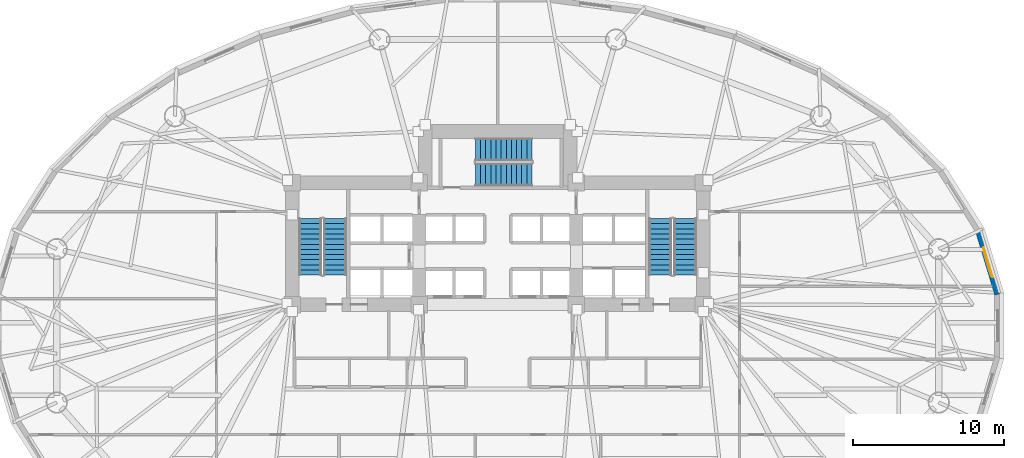
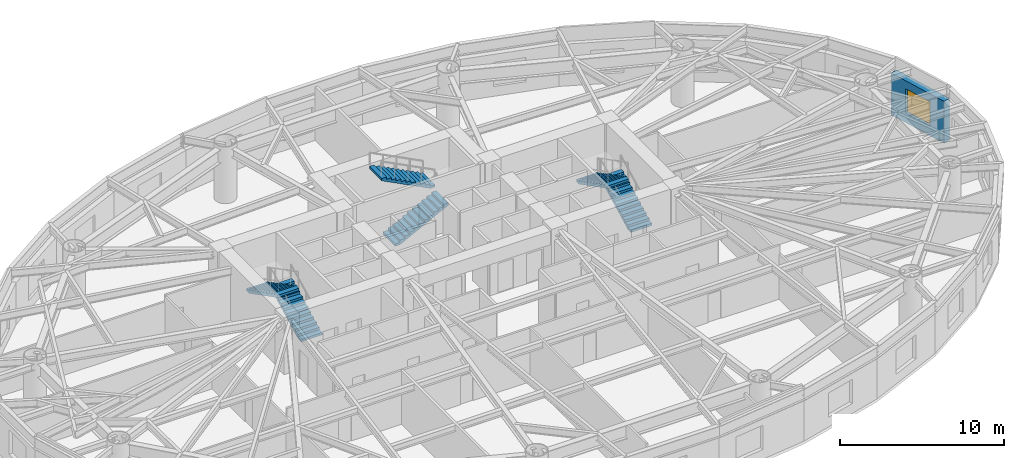
# One storey, part 9 of 14: 6 stair flights, 1 wall, 1 window, 1 opening, 3 elements without a shape of their own.
"""IFC4 building model written with IfcOpenShell, lengths in metres."""

from ifc_helpers import new_model, si_unit, direction, frame, frame_2d, origin, place, context, subcontext, project, spatial, polyline, rectangle, outline, extrude, material, layer, layer_set, type_object, element, fill, aggregate, save


model = new_model("IFC4")

# Units and contexts
model_context = context("Model", 3, precision=1e-05, world=origin(), true_north=direction((0.0, 1.0)))
body_context = subcontext(model_context, "Body", "Model", "MODEL_VIEW")
ifc_project = project(units=[si_unit("LENGTHUNIT", "METRE"), si_unit("AREAUNIT", "SQUARE_METRE"), si_unit("VOLUMEUNIT", "CUBIC_METRE"), si_unit("PLANEANGLEUNIT", "RADIAN"), si_unit("MASSUNIT", "GRAM", prefix="KILO")], contexts=[model_context])

# Site, building, storey
site_placement = place(None, origin())
site = spatial("IfcSite", under=ifc_project, at=site_placement, CompositionType="ELEMENT")
building_placement = place(site_placement, origin())
building = spatial("IfcBuilding", under=site, at=building_placement, Name="Keldmark Tower", CompositionType="ELEMENT")
storey_placement = place(building_placement, frame((0.0, 0.0, 14.39990234375)))
storey = spatial("IfcBuildingStorey", under=building, at=storey_placement, Name="L03", CompositionType="ELEMENT", Elevation=14.39990234375)

# Wall, opening, window
ifc_material_1 = material(Name="Ironspot Manganese Brick and Kasota Buff Limestone Cavity Assembly", Category="masonry")
ifc_layer = layer(ifc_material_1, 0.47998046875)
ifc_layer_set = layer_set([ifc_layer], Name="Ironspot Manganese Brick and Kasota Buff Limestone Cavity Assembly")
wall_type = type_object("IfcWallType", Name="Podium Brick and Limestone Cavity Wall 480 mm", PredefinedType="STANDARD", material=ifc_layer_set)
wall_placement = place(storey_placement, frame((31.827880859375, 6.316650390625, 0.0), z_axis=(0.0, 0.0, 1.0), x_axis=(0.289855603468, -0.957070388811, 0.0)))
wall = element("IfcWall", 1, at=wall_placement, inside=storey, type_object=wall_type, Name="L03 Exterior Brick and Spandrel Wall 01", PredefinedType="STANDARD", context=body_context, shape_type="SweptSolid", body=[
    extrude(rectangle(XDim=4.41943359375, YDim=0.47998046875, at=frame_2d((2.209716796875, 0.0))), origin(), (0.0, 0.0, 1.0), 3.109130859375),
])
opening_placement = place(wall_placement, frame((1.184814453125, 0.0, 0.719970703125)))
opening = element("IfcOpeningElement", 2, at=opening_placement, cuts=wall, Name="Opening W-07", PredefinedType="OPENING", context=body_context, shape_type="SweptSolid", body=[
    extrude(rectangle(XDim=2.050048828125, YDim=1.800048828125, at=frame_2d((1.02490234375, 0.89990234375))), frame((0.0, 0.25, 0.0), z_axis=(0.0, -1.0, 0.0), x_axis=(1.0, 0.0, 0.0)), (0.0, 0.0, 1.0), 0.5),
])
ifc_material_2 = material(Name="Thermally Broken Anodized Aluminum and Triple Low-E Argon Glazing", Category="aluminium")
window_type = type_object("IfcWindowType", Name="Podium Mezzanine Punched Window 2050x1800", PartitioningType="DOUBLE_PANEL_VERTICAL", PredefinedType="WINDOW", material=ifc_material_2)
window_placement = place(opening_placement, origin())
window = element("IfcWindow", 3, at=window_placement, inside=storey, type_object=window_type, Name="L03 Deep-Set Window 01", OverallHeight=1.800048828125, OverallWidth=2.050048828125, PartitioningType="SINGLE_PANEL", PredefinedType="WINDOW", context=body_context, shape_type="SweptSolid", body=[
    extrude(rectangle(XDim=2.050048828125, YDim=1.800048828125, at=frame_2d((1.02490234375, 0.89990234375))), frame((0.0, -0.010009765625, 0.0), z_axis=(0.0, -1.0, 0.0), x_axis=(1.0, 0.0, 0.0)), (0.0, 0.0, 1.0), 0.06005859375),
])
fill(opening, window)

# Stair, stair flights
ifc_material_3 = material(Name="Concrete C40/50", Category="concrete")
stair_type = type_object("IfcStairType", Name="Precast Concrete Core Exit Stair", PredefinedType="HALF_TURN_STAIR", material=ifc_material_3)
stair_1_placement = place(storey_placement, origin())
stair_1 = element("IfcStair", 4, at=stair_1_placement, inside=storey, type_object=stair_type, Name="L03 Exit Stair ST1", PredefinedType="HALF_TURN_STAIR")
ifc_material_4 = material(Name="Concrete C40/50", Category="concrete")
stair_flight_type = type_object("IfcStairFlightType", Name="Precast Concrete Stair Flight 1500 mm", PredefinedType="STRAIGHT", material=ifc_material_4)
stair_flight_1_placement = place(storey_placement, frame((-10.75, 3.35009765625, 0.0), z_axis=(0.0, 0.0, 1.0), x_axis=(0.0, 1.0, 0.0)))
stair_flight_1 = element("IfcStairFlight", 5, at=stair_flight_1_placement, type_object=stair_flight_type, Name="ST1 flight 1", NumberOfRisers=12, NumberOfTreads=11, PredefinedType="STRAIGHT", RiserHeight=0.175, TreadLength=0.34, context=body_context, shape_type="SweptSolid", body=[
    extrude(outline(polyline([(0.0, 0.0), (0.0, 0.175048828125), (0.340087890625, 0.175048828125), (0.340087890625, 0.35009765625), (0.679931640625, 0.35009765625), (0.679931640625, 0.52490234375), (1.02001953125, 0.52490234375), (1.02001953125, 0.699951171875), (1.360107421875, 0.699951171875), (1.360107421875, 0.875), (1.699951171875, 0.875), (1.699951171875, 1.050048828125), (2.0400390625, 1.050048828125), (2.0400390625, 1.22509765625), (2.3798828125, 1.22509765625), (2.3798828125, 1.39990234375), (2.719970703125, 1.39990234375), (2.719970703125, 1.574951171875), (3.06005859375, 1.574951171875), (3.06005859375, 1.75), (3.39990234375, 1.75), (3.39990234375, 1.925048828125), (3.739990234375, 1.925048828125), (3.739990234375, 2.10009765625), (3.739990234375, 1.75634765625), (0.32763671875, 0.0), (0.0, 0.0)])), frame((0.0, 0.75, 0.0), z_axis=(0.0, -1.0, 0.0), x_axis=(1.0, 0.0, 0.0)), (0.0, 0.0, 1.0), 1.5),
])
stair_flight_2_placement = place(storey_placement, frame((-12.39990234375, 7.090087890625, 2.10009765625), z_axis=(0.0, 0.0, 1.0), x_axis=(0.0, -1.0, 0.0)))
stair_flight_2 = element("IfcStairFlight", 6, at=stair_flight_2_placement, type_object=stair_flight_type, Name="ST1 flight 2", NumberOfRisers=12, NumberOfTreads=11, PredefinedType="STRAIGHT", RiserHeight=0.175, TreadLength=0.34, context=body_context, shape_type="SweptSolid", body=[
    extrude(outline(polyline([(0.0, 0.0), (0.0, 0.175048828125), (0.340087890625, 0.175048828125), (0.340087890625, 0.35009765625), (0.679931640625, 0.35009765625), (0.679931640625, 0.52490234375), (1.02001953125, 0.52490234375), (1.02001953125, 0.699951171875), (1.360107421875, 0.699951171875), (1.360107421875, 0.875), (1.699951171875, 0.875), (1.699951171875, 1.050048828125), (2.0400390625, 1.050048828125), (2.0400390625, 1.22509765625), (2.3798828125, 1.22509765625), (2.3798828125, 1.39990234375), (2.719970703125, 1.39990234375), (2.719970703125, 1.574951171875), (3.06005859375, 1.574951171875), (3.06005859375, 1.75), (3.39990234375, 1.75), (3.39990234375, 1.925048828125), (3.739990234375, 1.925048828125), (3.739990234375, 2.10009765625), (3.739990234375, 1.75634765625), (0.32763671875, 0.0), (0.0, 0.0)])), frame((0.0, 0.75, 0.0), z_axis=(0.0, -1.0, 0.0), x_axis=(1.0, 0.0, 0.0)), (0.0, 0.0, 1.0), 1.5),
])
aggregate(stair_1, [stair_flight_1, stair_flight_2])

stair_2_placement = place(storey_placement, origin())
stair_2 = element("IfcStair", 7, at=stair_2_placement, inside=storey, type_object=stair_type, Name="L03 Exit Stair ST2", PredefinedType="HALF_TURN_STAIR")
stair_flight_3_placement = place(storey_placement, frame((12.39990234375, 3.35009765625, 0.0), z_axis=(0.0, 0.0, 1.0), x_axis=(0.0, 1.0, 0.0)))
stair_flight_3 = element("IfcStairFlight", 8, at=stair_flight_3_placement, type_object=stair_flight_type, Name="ST2 flight 1", NumberOfRisers=12, NumberOfTreads=11, PredefinedType="STRAIGHT", RiserHeight=0.175, TreadLength=0.34, context=body_context, shape_type="SweptSolid", body=[
    extrude(outline(polyline([(0.0, 0.0), (0.0, 0.175048828125), (0.340087890625, 0.175048828125), (0.340087890625, 0.35009765625), (0.679931640625, 0.35009765625), (0.679931640625, 0.52490234375), (1.02001953125, 0.52490234375), (1.02001953125, 0.699951171875), (1.360107421875, 0.699951171875), (1.360107421875, 0.875), (1.699951171875, 0.875), (1.699951171875, 1.050048828125), (2.0400390625, 1.050048828125), (2.0400390625, 1.22509765625), (2.3798828125, 1.22509765625), (2.3798828125, 1.39990234375), (2.719970703125, 1.39990234375), (2.719970703125, 1.574951171875), (3.06005859375, 1.574951171875), (3.06005859375, 1.75), (3.39990234375, 1.75), (3.39990234375, 1.925048828125), (3.739990234375, 1.925048828125), (3.739990234375, 2.10009765625), (3.739990234375, 1.75634765625), (0.32763671875, 0.0), (0.0, 0.0)])), frame((0.0, 0.75, 0.0), z_axis=(0.0, -1.0, 0.0), x_axis=(1.0, 0.0, 0.0)), (0.0, 0.0, 1.0), 1.5),
])
stair_flight_4_placement = place(storey_placement, frame((10.75, 7.090087890625, 2.10009765625), z_axis=(0.0, 0.0, 1.0), x_axis=(0.0, -1.0, 0.0)))
stair_flight_4 = element("IfcStairFlight", 9, at=stair_flight_4_placement, type_object=stair_flight_type, Name="ST2 flight 2", NumberOfRisers=12, NumberOfTreads=11, PredefinedType="STRAIGHT", RiserHeight=0.175, TreadLength=0.34, context=body_context, shape_type="SweptSolid", body=[
    extrude(outline(polyline([(0.0, 0.0), (0.0, 0.175048828125), (0.340087890625, 0.175048828125), (0.340087890625, 0.35009765625), (0.679931640625, 0.35009765625), (0.679931640625, 0.52490234375), (1.02001953125, 0.52490234375), (1.02001953125, 0.699951171875), (1.360107421875, 0.699951171875), (1.360107421875, 0.875), (1.699951171875, 0.875), (1.699951171875, 1.050048828125), (2.0400390625, 1.050048828125), (2.0400390625, 1.22509765625), (2.3798828125, 1.22509765625), (2.3798828125, 1.39990234375), (2.719970703125, 1.39990234375), (2.719970703125, 1.574951171875), (3.06005859375, 1.574951171875), (3.06005859375, 1.75), (3.39990234375, 1.75), (3.39990234375, 1.925048828125), (3.739990234375, 1.925048828125), (3.739990234375, 2.10009765625), (3.739990234375, 1.75634765625), (0.32763671875, 0.0), (0.0, 0.0)])), frame((0.0, 0.75, 0.0), z_axis=(0.0, -1.0, 0.0), x_axis=(1.0, 0.0, 0.0)), (0.0, 0.0, 1.0), 1.5),
])
aggregate(stair_2, [stair_flight_3, stair_flight_4])

stair_3_placement = place(storey_placement, origin())
stair_3 = element("IfcStair", 10, at=stair_3_placement, inside=storey, type_object=stair_type, Name="L03 Exit Stair ST3", PredefinedType="HALF_TURN_STAIR")
stair_flight_5_placement = place(storey_placement, frame((-1.47509765625, 10.0, 0.0), z_axis=(0.0, 0.0, 1.0), x_axis=(1.0, 0.0, 0.0)))
stair_flight_5 = element("IfcStairFlight", 11, at=stair_flight_5_placement, type_object=stair_flight_type, Name="ST3 flight 1", NumberOfRisers=12, NumberOfTreads=11, PredefinedType="STRAIGHT", RiserHeight=0.175, TreadLength=0.34, context=body_context, shape_type="SweptSolid", body=[
    extrude(outline(polyline([(0.0, 0.0), (0.0, 0.175048828125), (0.340087890625, 0.175048828125), (0.340087890625, 0.35009765625), (0.679931640625, 0.35009765625), (0.679931640625, 0.52490234375), (1.02001953125, 0.52490234375), (1.02001953125, 0.699951171875), (1.360107421875, 0.699951171875), (1.360107421875, 0.875), (1.699951171875, 0.875), (1.699951171875, 1.050048828125), (2.0400390625, 1.050048828125), (2.0400390625, 1.22509765625), (2.3798828125, 1.22509765625), (2.3798828125, 1.39990234375), (2.719970703125, 1.39990234375), (2.719970703125, 1.574951171875), (3.06005859375, 1.574951171875), (3.06005859375, 1.75), (3.39990234375, 1.75), (3.39990234375, 1.925048828125), (3.739990234375, 1.925048828125), (3.739990234375, 2.10009765625), (3.739990234375, 1.75634765625), (0.32763671875, 0.0), (0.0, 0.0)])), frame((0.0, 0.75, 0.0), z_axis=(0.0, -1.0, 0.0), x_axis=(1.0, 0.0, 0.0)), (0.0, 0.0, 1.0), 1.5),
])
stair_flight_6_placement = place(storey_placement, frame((2.264892578125, 11.64990234375, 2.10009765625), z_axis=(0.0, 0.0, 1.0), x_axis=(-1.0, 0.0, 0.0)))
stair_flight_6 = element("IfcStairFlight", 12, at=stair_flight_6_placement, type_object=stair_flight_type, Name="ST3 flight 2", NumberOfRisers=12, NumberOfTreads=11, PredefinedType="STRAIGHT", RiserHeight=0.175, TreadLength=0.34, context=body_context, shape_type="SweptSolid", body=[
    extrude(outline(polyline([(0.0, 0.0), (0.0, 0.175048828125), (0.340087890625, 0.175048828125), (0.340087890625, 0.35009765625), (0.679931640625, 0.35009765625), (0.679931640625, 0.52490234375), (1.02001953125, 0.52490234375), (1.02001953125, 0.699951171875), (1.360107421875, 0.699951171875), (1.360107421875, 0.875), (1.699951171875, 0.875), (1.699951171875, 1.050048828125), (2.0400390625, 1.050048828125), (2.0400390625, 1.22509765625), (2.3798828125, 1.22509765625), (2.3798828125, 1.39990234375), (2.719970703125, 1.39990234375), (2.719970703125, 1.574951171875), (3.06005859375, 1.574951171875), (3.06005859375, 1.75), (3.39990234375, 1.75), (3.39990234375, 1.925048828125), (3.739990234375, 1.925048828125), (3.739990234375, 2.10009765625), (3.739990234375, 1.75634765625), (0.32763671875, 0.0), (0.0, 0.0)])), frame((0.0, 0.75, 0.0), z_axis=(0.0, -1.0, 0.0), x_axis=(1.0, 0.0, 0.0)), (0.0, 0.0, 1.0), 1.5),
])
aggregate(stair_3, [stair_flight_5, stair_flight_6])

save(model, "model.ifc")
